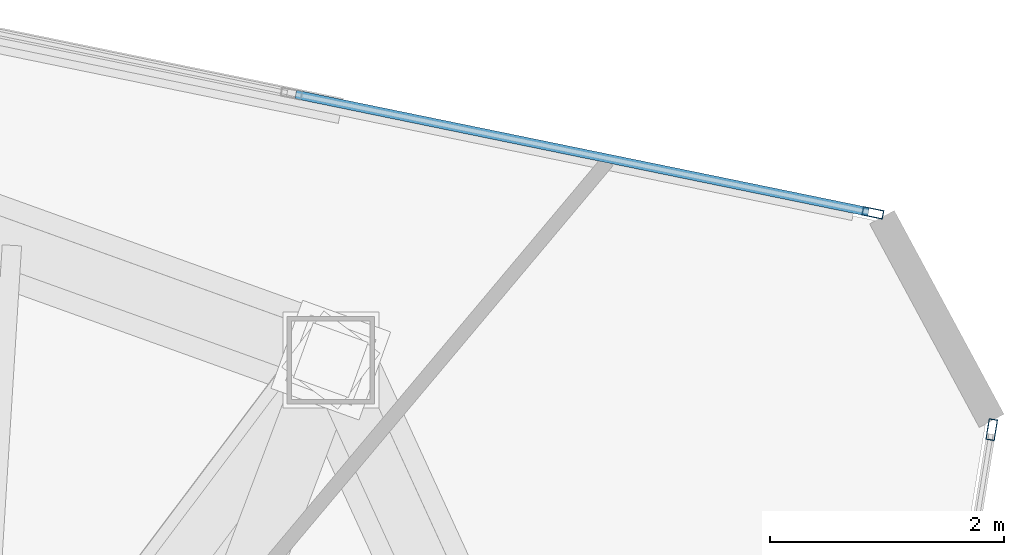
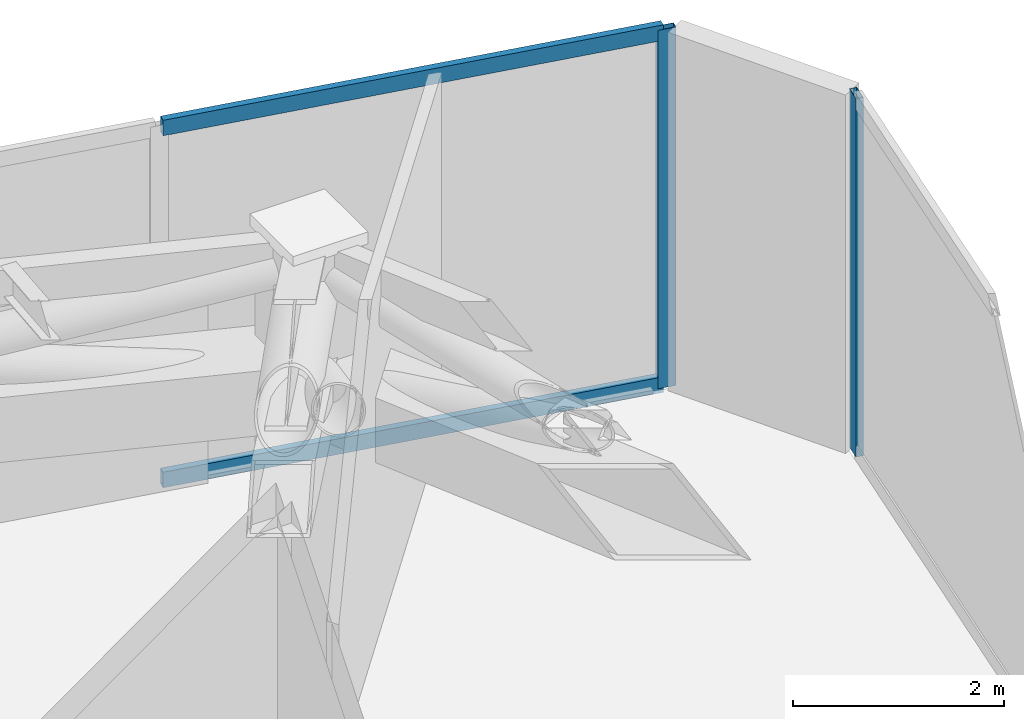
# One storey, part 14 of 19: 4 members, 2 elements without a shape of their own.
"""IFC4 building model written with IfcOpenShell, lengths in metres."""

import ifcopenshell
import ifcopenshell.guid

model = None  # the IFC model being written
_history = None  # IfcOwnerHistory: only IFC2X3 demands one
_inside = {}  # id of a spatial element -> (the spatial element, [elements in it])
_under = {}  # id of a project, library or spatial element -> (it, [spatial elements below it])
_declared = {}  # id of a project -> (the project, [libraries it declares])
_typed = {}  # id of a type object -> (the type object, [elements of that type])
_made_of = {}  # id of a material, layer set ... -> (it, [elements and type objects made of it])


def new_model(schema):
    """Start an empty IFC model of exactly this schema.

    Asked for "IFC4X3", IfcOpenShell would pick the latest addendum, in which some entities
    have other attributes; the version numbers below select the first issue.
    IFC2X3 requires an IfcOwnerHistory on every rooted entity: one is made here for all.
    """
    global model, _history
    if schema == "IFC4X3":
        model = ifcopenshell.file(schema_version=(4, 3, 0, 0))
    else:
        model = ifcopenshell.file(schema=schema)
    _inside.clear()
    _under.clear()
    _declared.clear()
    _typed.clear()
    _made_of.clear()
    _history = None
    if model.schema == "IFC2X3":
        org = make("IfcOrganization", Name="unknown")
        user = make(
            "IfcPersonAndOrganization",
            ThePerson=make("IfcPerson", FamilyName="unknown"),
            TheOrganization=org,
        )
        app = make(
            "IfcApplication",
            ApplicationDeveloper=org,
            Version="unknown",
            ApplicationFullName="unknown",
            ApplicationIdentifier="unknown",
        )
        _history = make(
            "IfcOwnerHistory",
            OwningUser=user,
            OwningApplication=app,
            ChangeAction="ADDED",
            CreationDate=0,
        )
    return model


def make(cls, **values):
    """One entity of the class cls with the attributes given. An attribute that is None is left unset."""
    return model.create_entity(
        cls, **{name: value for name, value in values.items() if value is not None}
    )


def rooted(cls, **values):
    """An entity with a GlobalId (a new one), such as an element, a storey or a relation."""
    return make(cls, GlobalId=ifcopenshell.guid.new(), OwnerHistory=_history, **values)


def si_unit(unit_type, name, prefix=None):
    """IfcSIUnit, for example si_unit("LENGTHUNIT", "METRE", prefix="MILLI")."""
    return make("IfcSIUnit", UnitType=unit_type, Prefix=prefix, Name=name)


def assignment(units):
    """IfcUnitAssignment: the units of a project."""
    return None if units is None else make("IfcUnitAssignment", Units=units)


def point(xyz):
    """IfcCartesianPoint."""
    return None if xyz is None else make("IfcCartesianPoint", Coordinates=xyz)


def direction(xyz):
    """IfcDirection."""
    return None if xyz is None else make("IfcDirection", DirectionRatios=xyz)


def frame(location, z_axis=None, x_axis=None):
    """IfcAxis2Placement3D, a coordinate frame: its origin and axes. An axis left out is left unset."""
    return make(
        "IfcAxis2Placement3D",
        Location=point(location),
        Axis=direction(z_axis),
        RefDirection=direction(x_axis),
    )


def frame_2d(location, x_axis=None):
    """IfcAxis2Placement2D, a coordinate frame in the plane: its origin and x axis."""
    return make(
        "IfcAxis2Placement2D", Location=point(location), RefDirection=direction(x_axis)
    )


def origin():
    """The frame at (0, 0, 0) with its axes left unset."""
    return frame((0.0, 0.0, 0.0))


def origin_2d():
    """The frame at (0, 0) in the plane with its x axis left unset."""
    return frame_2d((0.0, 0.0))


def place(relative_to, where):
    """IfcLocalPlacement: puts the frame where relative to a parent placement (None: the world)."""
    return make(
        "IfcLocalPlacement", PlacementRelTo=relative_to, RelativePlacement=where
    )


def context(
    kind, dimensions, precision=None, world=None, true_north=None, identifier=None
):
    """IfcGeometricRepresentationContext, for example the 3D "Model" context."""
    return make(
        "IfcGeometricRepresentationContext",
        ContextIdentifier=identifier,
        ContextType=kind,
        CoordinateSpaceDimension=dimensions,
        Precision=precision,
        WorldCoordinateSystem=world,
        TrueNorth=true_north,
    )


def subcontext(parent, identifier, kind, view, scale=None):
    """IfcGeometricRepresentationSubContext, for example "Body" below "Model"."""
    return make(
        "IfcGeometricRepresentationSubContext",
        ContextIdentifier=identifier,
        ContextType=kind,
        ParentContext=parent,
        TargetScale=scale,
        TargetView=view,
    )


def project(units=None, contexts=None):
    """IfcProject with its units and contexts."""
    return rooted(
        "IfcProject",
        Name="project",
        RepresentationContexts=contexts,
        UnitsInContext=assignment(units),
    )


def spatial(cls, under=None, at=None, **own):
    """A site, building, storey or space (cls), placed at a placement, below another one or the project."""
    s = rooted(cls, ObjectPlacement=at, **own)
    if under is not None:
        _under.setdefault(under.id(), (under, []))[1].append(s)
    return s


def profile(cls, at=None, kind="AREA", **sizes):
    """A parametric profile (cls). Its sizes go by their IFC names, for example OverallWidth=200.0."""
    return make(cls, ProfileType=kind, Position=at, **sizes)


def hollow_rectangle(**sizes):
    """IfcRectangleHollowProfileDef."""
    return profile("IfcRectangleHollowProfileDef", **sizes)


def extrude(swept, where, along, depth):
    """IfcExtrudedAreaSolid: the profile swept, set in the frame where, extruded along a direction by depth."""
    return make(
        "IfcExtrudedAreaSolid",
        SweptArea=swept,
        Position=where,
        ExtrudedDirection=direction(along),
        Depth=depth,
    )


def shape(context_of_items, identifier, shape_type, items):
    """IfcShapeRepresentation: the items that make up one representation, for example the "Body"."""
    return make(
        "IfcShapeRepresentation",
        ContextOfItems=context_of_items,
        RepresentationIdentifier=identifier,
        RepresentationType=shape_type,
        Items=items,
    )


def source(mapping_origin, context_of_items, identifier, shape_type, items):
    """IfcRepresentationMap: a shape defined once, which mapped items show again and again."""
    return make(
        "IfcRepresentationMap",
        MappingOrigin=mapping_origin,
        MappedRepresentation=shape(context_of_items, identifier, shape_type, items),
    )


def transform(
    local_origin,
    x_axis=None,
    y_axis=None,
    z_axis=None,
    scale=None,
    scale2=None,
    scale3=None,
    uniform=True,
):
    """IfcCartesianTransformationOperator3D, or its non-uniform kind. x_axis, y_axis, z_axis: its Axis1, 2, 3."""
    if uniform:
        return make(
            "IfcCartesianTransformationOperator3D",
            Axis1=direction(x_axis),
            Axis2=direction(y_axis),
            LocalOrigin=point(local_origin),
            Scale=scale,
            Axis3=direction(z_axis),
        )
    return make(
        "IfcCartesianTransformationOperator3DnonUniform",
        Axis1=direction(x_axis),
        Axis2=direction(y_axis),
        LocalOrigin=point(local_origin),
        Scale=scale,
        Axis3=direction(z_axis),
        Scale2=scale2,
        Scale3=scale3,
    )


def mapped(mapping_source, mapping_target):
    """IfcMappedItem: shows the shape of a source again, moved by a transform."""
    return make(
        "IfcMappedItem", MappingSource=mapping_source, MappingTarget=mapping_target
    )


def material(Name=None, Category=None):
    """IfcMaterial."""
    return make("IfcMaterial", Name=Name, Category=Category)


def layer(
    of_material, thickness, ventilated=None, Name=None, Category=None, Priority=None
):
    """IfcMaterialLayer: one layer of a wall or slab, of a material (None: an air gap)."""
    return make(
        "IfcMaterialLayer",
        Material=of_material,
        LayerThickness=thickness,
        IsVentilated=ventilated,
        Name=Name,
        Category=Category,
        Priority=Priority,
    )


def layer_set(layers, Name=None):
    """IfcMaterialLayerSet."""
    return make("IfcMaterialLayerSet", MaterialLayers=layers, LayerSetName=Name)


def material_profile(
    of_material, cross_section, Name=None, Category=None, Priority=None
):
    """IfcMaterialProfile: a cross section and its material."""
    return make(
        "IfcMaterialProfile",
        Name=Name,
        Material=of_material,
        Profile=cross_section,
        Priority=Priority,
        Category=Category,
    )


def profile_set(profiles, Name=None, composite=None):
    """IfcMaterialProfileSet."""
    return make(
        "IfcMaterialProfileSet",
        Name=Name,
        MaterialProfiles=profiles,
        CompositeProfile=composite,
    )


def made_of(thing, what):
    """Note that an element or type object is made of a material, layer set ...; save() writes the relation."""
    if what is not None:
        _made_of.setdefault(what.id(), (what, []))[1].append(thing)
    return thing


def type_object(cls, material=None, **own):
    """A type object (cls), such as IfcWallType, which elements share."""
    return made_of(rooted(cls, **own), material)


def type_shapes(of_type, sources):
    """Give a type object the sources (RepresentationMaps) that its elements show as mapped items."""
    of_type.RepresentationMaps = sources


def element(
    cls,
    number,
    at=None,
    inside=None,
    cuts=None,
    type_object=None,
    material=None,
    context=None,
    identifier="Body",
    shape_type=None,
    held_by="IfcProductDefinitionShape",
    body=None,
    shapes=None,
    **own,
):
    """One element of the class cls, such as IfcWall. Its Tag is "e" and its number.

    at: its placement. inside: the storey or other place that contains it. cuts: it is an
    opening in that element (IfcRelVoidsElement). A single representation is given by context,
    identifier, shape_type and body (its items); several are given by shapes. held_by: the class
    of the entity that holds the representations. save() writes the other relations.
    """
    e = rooted(cls, Tag="e%d" % number, ObjectPlacement=at, **own)
    if body is not None:
        shapes = [shape(context, identifier, shape_type, body)]
    if shapes is not None:
        e.Representation = make(held_by, Representations=shapes)
    if inside is not None:
        _inside.setdefault(inside.id(), (inside, []))[1].append(e)
    if cuts is not None:
        rooted(
            "IfcRelVoidsElement", RelatingBuildingElement=cuts, RelatedOpeningElement=e
        )
    if type_object is not None:
        _typed.setdefault(type_object.id(), (type_object, []))[1].append(e)
    return made_of(e, material)


def aggregate(whole, parts):
    """IfcRelAggregates: a whole, such as a stair, and the parts it consists of."""
    return rooted("IfcRelAggregates", RelatingObject=whole, RelatedObjects=parts)


def save(model, path):
    """Write the relations noted so far, then the file.

    IfcRelAggregates (storeys below a building ...), IfcRelContainedInSpatialStructure (elements
    in a storey), IfcRelDefinesByType, IfcRelAssociatesMaterial and IfcRelDeclares: one each for
    every whole, place, type object, material and project.
    """
    for whole, parts in _under.values():
        aggregate(whole, parts)
    for where, things in _inside.values():
        rooted(
            "IfcRelContainedInSpatialStructure",
            RelatedElements=things,
            RelatingStructure=where,
        )
    for kind, things in _typed.values():
        rooted("IfcRelDefinesByType", RelatedObjects=things, RelatingType=kind)
    for what, things in _made_of.values():
        rooted("IfcRelAssociatesMaterial", RelatedObjects=things, RelatingMaterial=what)
    for by, libraries in _declared.values():
        rooted("IfcRelDeclares", RelatingContext=by, RelatedDefinitions=libraries)
    model.write(path)


model = new_model("IFC4")

# Units and contexts
model_context = context("Model", 3, precision=1e-05, world=origin(), true_north=direction((0.0, 1.0)))
body_context = subcontext(model_context, "Body", "Model", "MODEL_VIEW")
ifc_project = project(units=[si_unit("LENGTHUNIT", "METRE"), si_unit("AREAUNIT", "SQUARE_METRE"), si_unit("VOLUMEUNIT", "CUBIC_METRE"), si_unit("PLANEANGLEUNIT", "RADIAN"), si_unit("MASSUNIT", "GRAM", prefix="KILO")], contexts=[model_context])

# Site, building, storey
site_placement = place(None, origin())
site = spatial("IfcSite", under=ifc_project, at=site_placement, CompositionType="ELEMENT")
building_placement = place(site_placement, origin())
building = spatial("IfcBuilding", under=site, at=building_placement, Name="Talar Marvaseh", CompositionType="ELEMENT")
storey_placement = place(building_placement, frame((0.0, 0.0, 236.199951171875)))
storey = spatial("IfcBuildingStorey", under=building, at=storey_placement, Name="L62", CompositionType="ELEMENT", Elevation=236.199951171875)

# Curtain wall, member
ifc_material = material(Name="Architectural Aluminium", Category="aluminium")
ifc_layer = layer(ifc_material, 0.18994140625)
ifc_layer_set = layer_set([ifc_layer], Name="Architectural Aluminium")
curtain_wall_type = type_object("IfcCurtainWallType", Name="Unitised Solar Atelier Curtain Wall Z3", PredefinedType="NOTDEFINED", material=ifc_layer_set)
curtain_wall_1_placement = place(storey_placement, origin())
curtain_wall_1 = element("IfcCurtainWall", 1, at=curtain_wall_1_placement, inside=storey, type_object=curtain_wall_type, Name="L62 Unitised Solar Atelier Curtain Wall Z3", PredefinedType="NOTDEFINED")
ifc_material_profile_1 = material_profile(ifc_material, hollow_rectangle(XDim=0.074951171875, YDim=0.179931640625, WallThickness=0.0048828125, at=origin_2d()), Name="RHS180x75x5")
ifc_profile_set_1 = profile_set([ifc_material_profile_1], Name="Architectural Aluminium")
member_type_1 = type_object("IfcMemberType", Name="Unitised Curtain Wall Standard Mullion RHS180x75x5", PredefinedType="MULLION", material=ifc_profile_set_1)
shared_shape_1 = source(origin(), body_context, "Body", "SweptSolid", [
    extrude(hollow_rectangle(XDim=0.074951171875, YDim=0.179931640625, WallThickness=0.0048828125, at=origin_2d()), origin(), (0.0, 0.0, 1.0), 4.150146484375),
])
type_shapes(member_type_1, [shared_shape_1])
member_1_placement = place(storey_placement, frame((40.9765625, 42.201416015625, 0.0), z_axis=(0.0, 0.0, 1.0), x_axis=(0.201010714536, 0.979589042733, 0.0)))
member_1 = element("IfcMember", 2, at=member_1_placement, type_object=member_type_1, Name="CW-Z3 mullion 4", PredefinedType="MULLION", context=body_context, shape_type="MappedRepresentation", body=[
    mapped(shared_shape_1, transform((0.0, 0.0, 0.0), x_axis=(1.0, 0.0, 0.0), y_axis=(0.0, 1.0, 0.0), z_axis=(0.0, 0.0, 1.0), scale=1.0)),
])

curtain_wall_2_placement = place(storey_placement, origin())
curtain_wall_2 = element("IfcCurtainWall", 3, at=curtain_wall_2_placement, inside=storey, type_object=curtain_wall_type, Name="L62 Unitised Solar Atelier Curtain Wall Z3", PredefinedType="NOTDEFINED")
member_2_placement = place(storey_placement, frame((41.99267578125, 40.347412109375, 0.0), z_axis=(0.0, 0.0, 1.0), x_axis=(0.986971316934, -0.160896300608, 0.0)))
member_2 = element("IfcMember", 4, at=member_2_placement, type_object=member_type_1, Name="CW-Z3 mullion 1", PredefinedType="MULLION", context=body_context, shape_type="MappedRepresentation", body=[
    mapped(shared_shape_1, transform((0.0, 0.0, 0.0), x_axis=(1.0, 0.0, 0.0), y_axis=(0.0, 1.0, 0.0), z_axis=(0.0, 0.0, 1.0), scale=1.0)),
])
aggregate(curtain_wall_2, [member_2])

# Member
ifc_material_profile_2 = material_profile(ifc_material, hollow_rectangle(XDim=0.074951171875, YDim=0.179931640625, WallThickness=0.0048828125, at=origin_2d()), Name="RHS180x75x5")
ifc_profile_set_2 = profile_set([ifc_material_profile_2], Name="Architectural Aluminium")
member_type_2 = type_object("IfcMemberType", Name="Unitised Curtain Wall Transom RHS180x75x5", PredefinedType="USERDEFINED", material=ifc_profile_set_2)
shared_shape_2 = source(origin(), body_context, "Body", "SweptSolid", [
    extrude(hollow_rectangle(XDim=0.074951171875, YDim=0.179931640625, WallThickness=0.0048828125, at=origin_2d()), origin(), (0.0, 0.0, 1.0), 5.00048828125),
])
type_shapes(member_type_2, [shared_shape_2])
member_3_placement = place(storey_placement, frame((36.041259765625, 43.214111328125, 0.03759765625), z_axis=(0.979590130968, -0.201005411144, 0.0), x_axis=(0.201005411144, 0.979590130968, 0.0)))
member_3 = element("IfcMember", 5, at=member_3_placement, type_object=member_type_2, Name="CW-Z3 transom 3.1", ObjectType="TRANSOM", PredefinedType="USERDEFINED", context=body_context, shape_type="MappedRepresentation", body=[
    mapped(shared_shape_2, transform((0.0, 0.0, 0.0), x_axis=(1.0, 0.0, 0.0), y_axis=(0.0, 1.0, 0.0), z_axis=(0.0, 0.0, 1.0), scale=1.0)),
])

member_4_placement = place(storey_placement, frame((36.041259765625, 43.214111328125, 4.112548828125), z_axis=(0.979590130968, -0.201005411144, 0.0), x_axis=(0.201005411144, 0.979590130968, 0.0)))
member_4 = element("IfcMember", 6, at=member_4_placement, type_object=member_type_2, Name="CW-Z3 transom 3.2", ObjectType="TRANSOM", PredefinedType="USERDEFINED", context=body_context, shape_type="MappedRepresentation", body=[
    mapped(shared_shape_2, transform((0.0, 0.0, 0.0), x_axis=(1.0, 0.0, 0.0), y_axis=(0.0, 1.0, 0.0), z_axis=(0.0, 0.0, 1.0), scale=1.0)),
])

aggregate(curtain_wall_1, [member_1, member_3, member_4])

save(model, "model.ifc")
